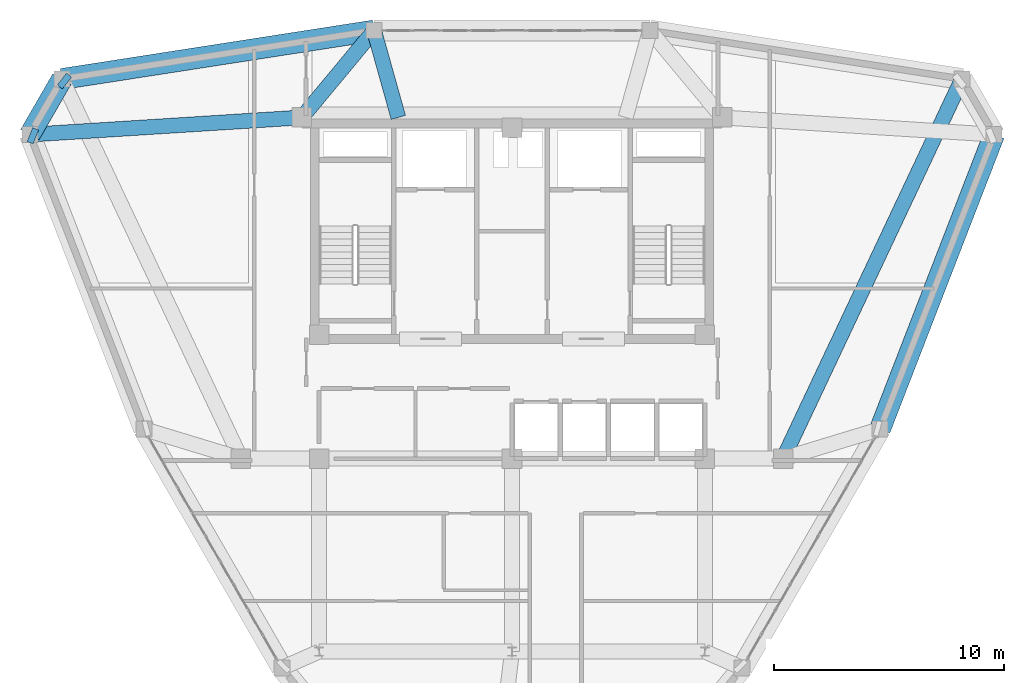
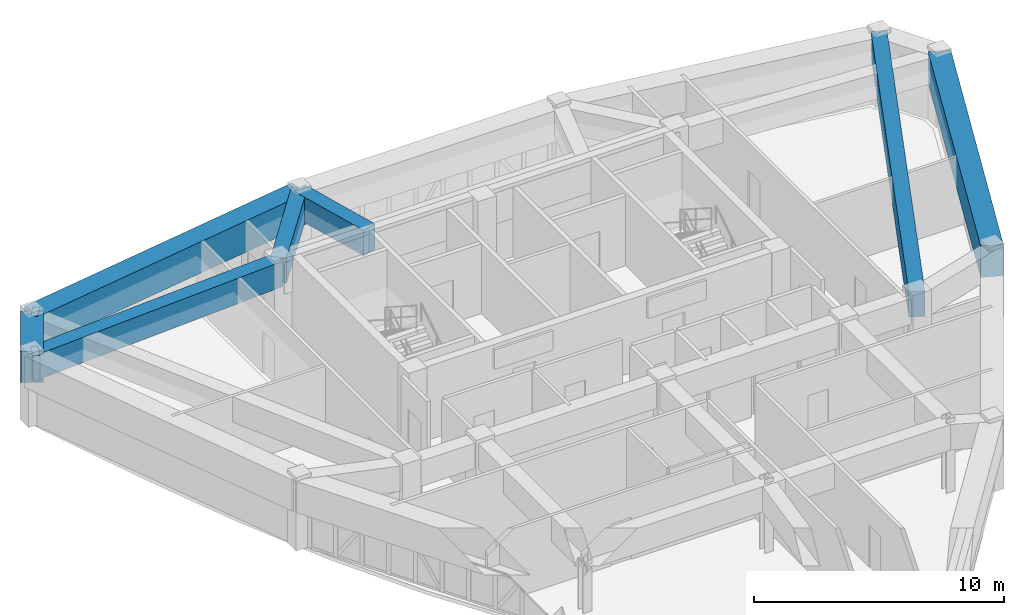
# One storey, part 8 of 15: 9 beams.
"""IFC4 building model written with IfcOpenShell, lengths in metres."""

from ifc_helpers import new_model, si_unit, derived_unit, direction, frame, origin, origin_2d, place, context, subcontext, project, spatial, rectangle, extrude, source, transform, mapped, material, material_profile, profile_set, type_object, element, save


model = new_model("IFC4")

# Units and contexts
model_context = context("Model", 3, precision=1e-05, world=origin(), true_north=direction((0.0, 1.0)))
body_context = subcontext(model_context, "Body", "Model", "MODEL_VIEW")
ifc_project = project(units=[si_unit("LENGTHUNIT", "METRE"), si_unit("AREAUNIT", "SQUARE_METRE"), si_unit("VOLUMEUNIT", "CUBIC_METRE"), si_unit("PLANEANGLEUNIT", "RADIAN"), si_unit("MASSUNIT", "GRAM", prefix="KILO"), derived_unit("THERMALTRANSMITTANCEUNIT", [(si_unit("POWERUNIT", "WATT"), 1), (si_unit("LENGTHUNIT", "METRE"), -2), (si_unit("THERMODYNAMICTEMPERATUREUNIT", "KELVIN"), -1)])], contexts=[model_context])

# Site, building, storey
site_placement = place(None, origin())
site = spatial("IfcSite", under=ifc_project, at=site_placement, CompositionType="ELEMENT")
building_placement = place(site_placement, origin())
building = spatial("IfcBuilding", under=site, at=building_placement, Name="Korsvarv Bourse and Concert Hall", CompositionType="ELEMENT")
storey_placement = place(building_placement, frame((0.0, 0.0, 250.199951171875)))
storey = spatial("IfcBuildingStorey", under=building, at=storey_placement, Name="L65", CompositionType="ELEMENT", Elevation=250.199951171875)

# Beams
ifc_material = material(Name="Concrete C50/60", Category="concrete")
ifc_material_profile_1 = material_profile(ifc_material, rectangle(XDim=0.64990234375, YDim=1.239990234375, at=origin_2d()), Name="RC-BM 650x1240")
ifc_profile_set_1 = profile_set([ifc_material_profile_1], Name="Concrete C50/60")
beam_type_1 = type_object("IfcBeamType", Name="BM-TR-SPN", PredefinedType="BEAM", material=ifc_profile_set_1)
shared_shape_1 = source(origin(), body_context, "Body", "SweptSolid", [
    extrude(rectangle(XDim=0.64990234375, YDim=1.239990234375, at=origin_2d()), origin(), (0.0, 0.0, 1.0), 0.28271484375),
])
for number, where, z_axis, x_axis, name in (
    (1, (16.40966796875, 48.924072265625, 2.7900390625), (0.785148009035, -0.619308165543, 0.0), (0.619308165543, 0.785148009035, 0.0), "L65 beam B-TRS"),
    (2, (15.01220703125, 46.503662109375, 2.7900390625), (0.929189641467, -0.369603314636, 0.0), (0.369603314636, 0.929189641467, 0.0), "L65 beam B-TRS"),
):
    element("IfcBeam", number, at=place(storey_placement, frame(where, z_axis=z_axis, x_axis=x_axis)), inside=storey, type_object=beam_type_1, Name=name, PredefinedType="BEAM", context=body_context, shape_type="MappedRepresentation", body=[
        mapped(shared_shape_1, transform((0.0, 0.0, 0.0), scale=1.0)),
    ])
ifc_material_profile_2 = material_profile(ifc_material, rectangle(XDim=0.919921875, YDim=1.530029296875, at=origin_2d()), Name="RC-BM 920x1530")
ifc_profile_set_2 = profile_set([ifc_material_profile_2], Name="Concrete C50/60")
beam_type_2 = type_object("IfcBeamType", Name="BM-TR-154", PredefinedType="BEAM", material=ifc_profile_set_2)
shared_shape_2 = source(origin(), body_context, "Body", "SweptSolid", [
    extrude(rectangle(XDim=0.919921875, YDim=1.530029296875, at=origin_2d()), origin(), (0.0, 0.0, 1.0), 2.794921875),
])
beam_1_placement = place(storey_placement, frame((16.40966796875, 48.924072265625, 2.64501953125), z_axis=(-0.500009789943, -0.866019751484, 0.0), x_axis=(0.866019751484, -0.500009789943, 0.0)))
element("IfcBeam", 3, at=beam_1_placement, inside=storey, type_object=beam_type_2, Name="L65 beam B-TR6", PredefinedType="BEAM", context=body_context, shape_type="MappedRepresentation", body=[
    mapped(shared_shape_2, transform((0.0, 0.0, 0.0), scale=1.0)),
])
shared_shape_3 = source(origin(), body_context, "Body", "SweptSolid", [
    extrude(rectangle(XDim=0.919921875, YDim=1.530029296875, at=origin_2d()), origin(), (0.0, 0.0, 1.0), 13.74853515625),
])
for number, where, z_axis, x_axis, name in (
    (4, (29.99560546875, 51.03271484375, 2.64501953125), (-0.988168614185, -0.153371411744, 0.0), (0.153371411744, -0.988168614185, 0.0), "L65 beam B-TR6"),
    (5, (52.02099609375, 33.68359375, 2.64501953125), (0.361259117053, 0.932465468715, 0.0), (-0.932465468715, 0.361259117053, 0.0), "L65 beam B-TR6"),
):
    element("IfcBeam", number, at=place(storey_placement, frame(where, z_axis=z_axis, x_axis=x_axis)), inside=storey, type_object=beam_type_2, Name=name, PredefinedType="BEAM", context=body_context, shape_type="MappedRepresentation", body=[
        mapped(shared_shape_3, transform((0.0, 0.0, 0.0), scale=1.0)),
    ])
shared_shape_4 = source(origin(), body_context, "Body", "SweptSolid", [
    extrude(rectangle(XDim=0.64990234375, YDim=1.239990234375, at=origin_2d()), origin(), (0.0, 0.0, 1.0), 11.861328125),
])
beam_2_placement = place(storey_placement, frame((15.01220703125, 46.503662109375, 2.7900390625), z_axis=(0.998018472991, 0.06292159858, 0.0), x_axis=(-0.06292159858, 0.998018472991, 0.0)))
element("IfcBeam", 6, at=beam_2_placement, inside=storey, type_object=beam_type_1, Name="L65 beam B-TRS", PredefinedType="BEAM", context=body_context, shape_type="MappedRepresentation", body=[
    mapped(shared_shape_4, transform((0.0, 0.0, 0.0), scale=1.0)),
])
shared_shape_5 = source(origin(), body_context, "Body", "SweptSolid", [
    extrude(rectangle(XDim=0.64990234375, YDim=1.239990234375, at=origin_2d()), origin(), (0.0, 0.0, 1.0), 18.2685546875),
])
beam_3_placement = place(storey_placement, frame((55.59033203125, 48.924072265625, 2.7900390625), z_axis=(-0.426433445871, -0.904518941893, 0.0), x_axis=(0.904518941893, -0.426433445871, 0.0)))
element("IfcBeam", 7, at=beam_3_placement, inside=storey, type_object=beam_type_1, Name="L65 beam B-TRS", PredefinedType="BEAM", context=body_context, shape_type="MappedRepresentation", body=[
    mapped(shared_shape_5, transform((0.0, 0.0, 0.0), scale=1.0)),
])
shared_shape_6 = source(origin(), body_context, "Body", "SweptSolid", [
    extrude(rectangle(XDim=0.64990234375, YDim=1.239990234375, at=origin_2d()), origin(), (0.0, 0.0, 1.0), 4.919677734375),
])
beam_4_placement = place(storey_placement, frame((29.99560546875, 51.03271484375, 2.7900390625), z_axis=(-0.6393737664, -0.768896083251, 0.0), x_axis=(0.768896083251, -0.6393737664, 0.0)))
element("IfcBeam", 8, at=beam_4_placement, inside=storey, type_object=beam_type_1, Name="L65 beam B-TRS", PredefinedType="BEAM", context=body_context, shape_type="MappedRepresentation", body=[
    mapped(shared_shape_6, transform((0.0, 0.0, 0.0), scale=1.0)),
])
shared_shape_7 = source(origin(), body_context, "Body", "SweptSolid", [
    extrude(rectangle(XDim=0.64990234375, YDim=1.239990234375, at=origin_2d()), origin(), (0.0, 0.0, 1.0), 3.927734375),
])
beam_5_placement = place(storey_placement, frame((29.99560546875, 51.03271484375, 2.7900390625), z_axis=(0.26920797883, -0.963082065109, 0.0), x_axis=(0.963082065109, 0.26920797883, 0.0)))
element("IfcBeam", 9, at=beam_5_placement, inside=storey, type_object=beam_type_1, Name="L65 beam B-TRS", PredefinedType="BEAM", context=body_context, shape_type="MappedRepresentation", body=[
    mapped(shared_shape_7, transform((0.0, 0.0, 0.0), scale=1.0)),
])

save(model, "model.ifc")
